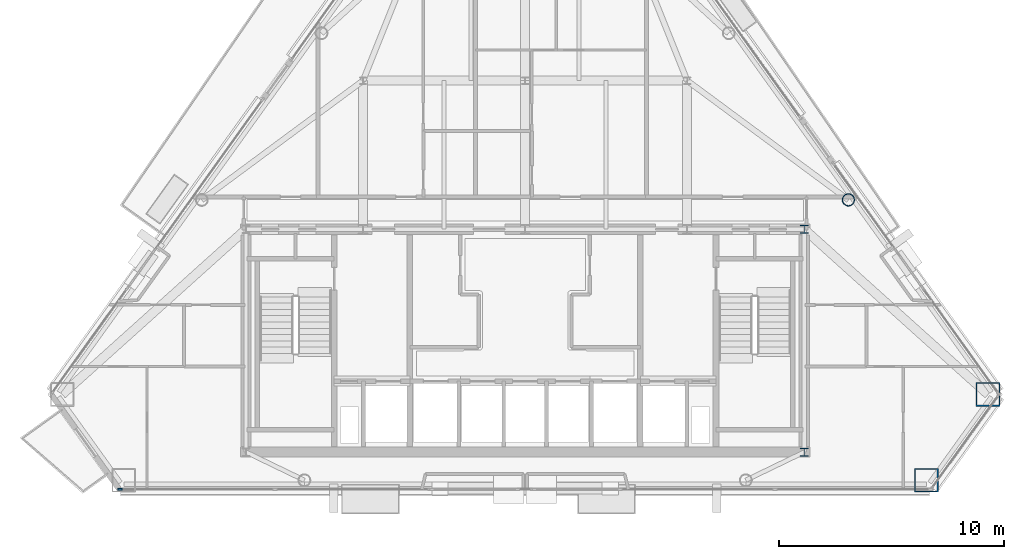
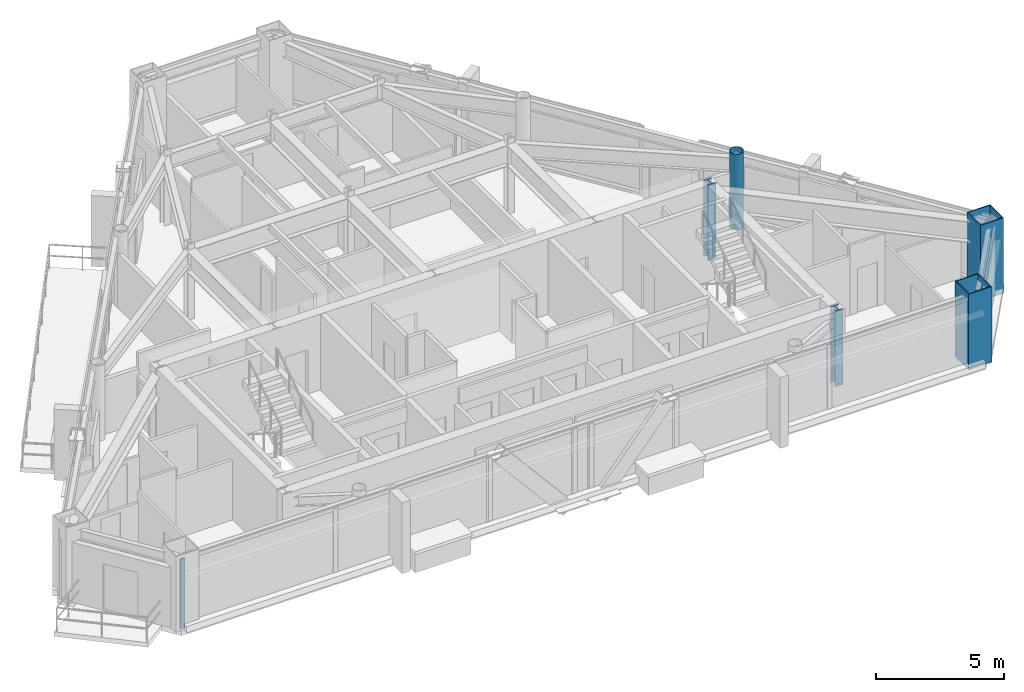
# One storey, part 2 of 12: 5 columns, 1 member, 1 element without a shape of its own.
"""IFC4 building model written with IfcOpenShell, lengths in metres."""

from ifc_helpers import new_model, si_unit, direction, frame, origin, origin_2d, place, context, subcontext, project, spatial, rectangle, hollow_rectangle, hollow_circle, i_section, extrude, material, layer, layer_set, material_profile, profile_set, type_object, element, aggregate, save


model = new_model("IFC4")

# Units and contexts
model_context = context("Model", 3, precision=1e-05, world=origin(), true_north=direction((0.0, 1.0)))
body_context = subcontext(model_context, "Body", "Model", "MODEL_VIEW")
ifc_project = project(units=[si_unit("LENGTHUNIT", "METRE"), si_unit("AREAUNIT", "SQUARE_METRE"), si_unit("VOLUMEUNIT", "CUBIC_METRE"), si_unit("PLANEANGLEUNIT", "RADIAN"), si_unit("MASSUNIT", "GRAM", prefix="KILO")], contexts=[model_context])

# Site, building, storey
site_placement = place(None, origin())
site = spatial("IfcSite", under=ifc_project, at=site_placement, CompositionType="ELEMENT")
building_placement = place(site_placement, origin())
building = spatial("IfcBuilding", under=site, at=building_placement, Name="Talgorran Terracotta Tower", CompositionType="ELEMENT")
storey_placement = place(building_placement, frame((0.0, 0.0, 225.300048828125)))
storey = spatial("IfcBuildingStorey", under=building, at=storey_placement, Name="L59", CompositionType="ELEMENT", Elevation=225.300048828125)

# Columns
ifc_material_1 = material(Name="Steel S355 (300PLUS)", Category="steel")
ifc_material_profile_1 = material_profile(ifc_material_1, i_section(OverallWidth=0.35205078125, OverallDepth=0.35888671875, WebThickness=0.01806640625, FlangeThickness=0.02587890625, at=origin_2d()), Name="350WC197")
ifc_profile_set_1 = profile_set([ifc_material_profile_1], Name="Steel S355 (300PLUS)")
column_type_1 = type_object("IfcColumnType", Name="COL_350WC197", PredefinedType="COLUMN", material=ifc_profile_set_1)
for number, where, z_axis, x_axis, name in (
    (1, (12.39990234375, -14.10009765625, 0.0), (0.0, 0.0, 1.0), (1.0, 0.0, 0.0), "L59 Core Boundary Column CC2"),
    (2, (12.39990234375, -4.199951171875, 0.0), (0.0, 0.0, 1.0), (1.0, 0.0, 0.0), "L59 Core Boundary Column CC3"),
):
    element("IfcColumn", number, at=place(storey_placement, frame(where, z_axis=z_axis, x_axis=x_axis)), inside=storey, type_object=column_type_1, Name=name, PredefinedType="COLUMN", context=body_context, shape_type="SweptSolid", body=[
        extrude(i_section(OverallWidth=0.35205078125, OverallDepth=0.35888671875, WebThickness=0.01806640625, FlangeThickness=0.02587890625, at=origin_2d()), origin(), (0.0, 0.0, 1.0), 3.599853515625),
    ])
ifc_material_2 = material(Name="Steel Grade 350 (350L0)", Category="steel")
ifc_material_profile_2 = material_profile(ifc_material_2, hollow_rectangle(XDim=1.050048828125, YDim=1.050048828125, WallThickness=0.044921875, at=origin_2d()), Name="CFT1050X1050X45")
ifc_profile_set_2 = profile_set([ifc_material_profile_2], Name="Steel Grade 350 (350L0)")
column_type_2 = type_object("IfcColumnType", Name="COL_CFT_1050", PredefinedType="COLUMN", material=ifc_profile_set_2)
for number, where, z_axis, x_axis, name in (
    (3, (17.830078125, -15.352294921875, 0.0), (0.0, 0.0, 1.0), (1.0, 0.0, 0.0), "L59 Corner CFT Mega-Column MC3"),
    (4, (20.566650390625, -11.53955078125, 0.0), (0.0, 0.0, 1.0), (1.0, 0.0, 0.0), "L59 Corner CFT Mega-Column MC4"),
):
    element("IfcColumn", number, at=place(storey_placement, frame(where, z_axis=z_axis, x_axis=x_axis)), inside=storey, type_object=column_type_2, Name=name, PredefinedType="COLUMN", context=body_context, shape_type="SweptSolid", body=[
        extrude(hollow_rectangle(XDim=1.050048828125, YDim=1.050048828125, WallThickness=0.044921875, at=origin_2d()), origin(), (0.0, 0.0, 1.0), 3.599853515625),
    ])
ifc_material_profile_3 = material_profile(ifc_material_2, hollow_circle(Radius=0.27490234375, WallThickness=0.02392578125, at=origin_2d()), Name="CHS550X24")
ifc_profile_set_3 = profile_set([ifc_material_profile_3], Name="Steel Grade 350 (350L0)")
column_type_3 = type_object("IfcColumnType", Name="COL_CHS_550", PredefinedType="COLUMN", material=ifc_profile_set_3)
column_placement = place(storey_placement, frame((14.36328125, -2.897216796875, 0.0), z_axis=(0.0, 0.0, 1.0), x_axis=(1.0, 0.0, 0.0)))
element("IfcColumn", 5, at=column_placement, inside=storey, type_object=column_type_3, Name="L59 Facet Perimeter Column FC3", PredefinedType="COLUMN", context=body_context, shape_type="SweptSolid", body=[
    extrude(hollow_circle(Radius=0.27490234375, WallThickness=0.02392578125, at=origin_2d()), origin(), (0.0, 0.0, 1.0), 3.599853515625),
])

# Curtain wall, member
ifc_material_3 = material(Name="High-Wind Unitised Glazing", Category="glass")
ifc_layer = layer(ifc_material_3, 0.2099609375, Name="CW_SYS3_RES_HIGH")
ifc_layer_set = layer_set([ifc_layer], Name="High-Wind Unitised Glazing")
curtain_wall_type = type_object("IfcCurtainWallType", Name="CW_SYS3_RES_HIGH", PredefinedType="NOTDEFINED", material=ifc_layer_set)
curtain_wall_placement = place(storey_placement, origin())
curtain_wall = element("IfcCurtainWall", 6, at=curtain_wall_placement, inside=storey, type_object=curtain_wall_type, Name="CW-L59-F1", PredefinedType="NOTDEFINED")
ifc_material_4 = material(Name="Architectural Aluminium 6063-T6", Category="aluminium")
ifc_material_profile_4 = material_profile(ifc_material_4, rectangle(XDim=0.070068359375, YDim=0.199951171875, at=origin_2d()), Name="CWM70X200")
ifc_profile_set_4 = profile_set([ifc_material_profile_4], Name="Architectural Aluminium 6063-T6")
member_type = type_object("IfcMemberType", Name="MUL_70X200", PredefinedType="MULLION", material=ifc_profile_set_4)
member_placement = place(storey_placement, frame((-18.00048828125, -15.752197265625, 0.0), z_axis=(0.0, 0.0, 1.0), x_axis=(0.0, 1.0, 0.0)))
member = element("IfcMember", 7, at=member_placement, type_object=member_type, Name="CW-L59-1 mullion 1", PredefinedType="MULLION", context=body_context, shape_type="SweptSolid", body=[
    extrude(rectangle(XDim=0.070068359375, YDim=0.199951171875, at=origin_2d()), origin(), (0.0, 0.0, 1.0), 3.320068359375),
])
aggregate(curtain_wall, [member])

save(model, "model.ifc")
